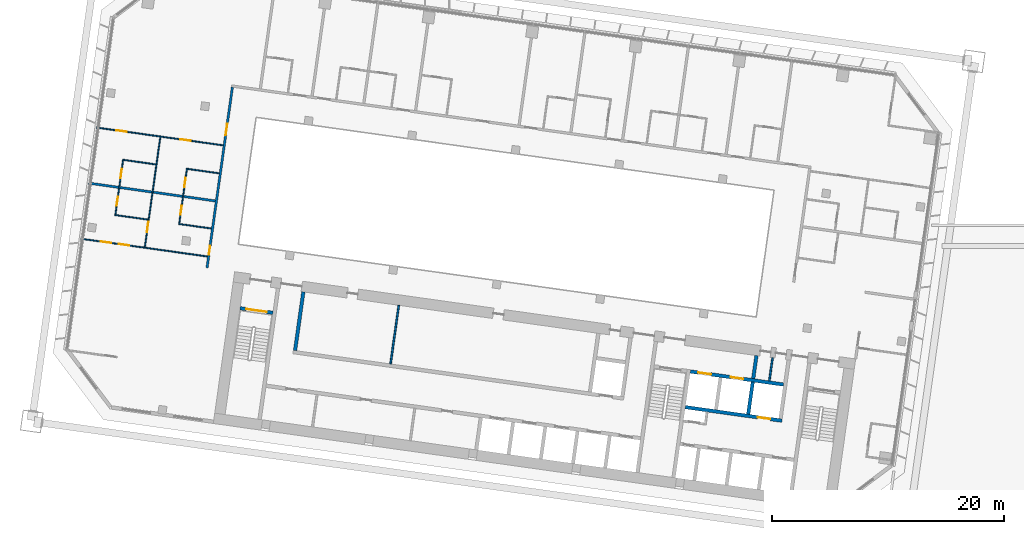
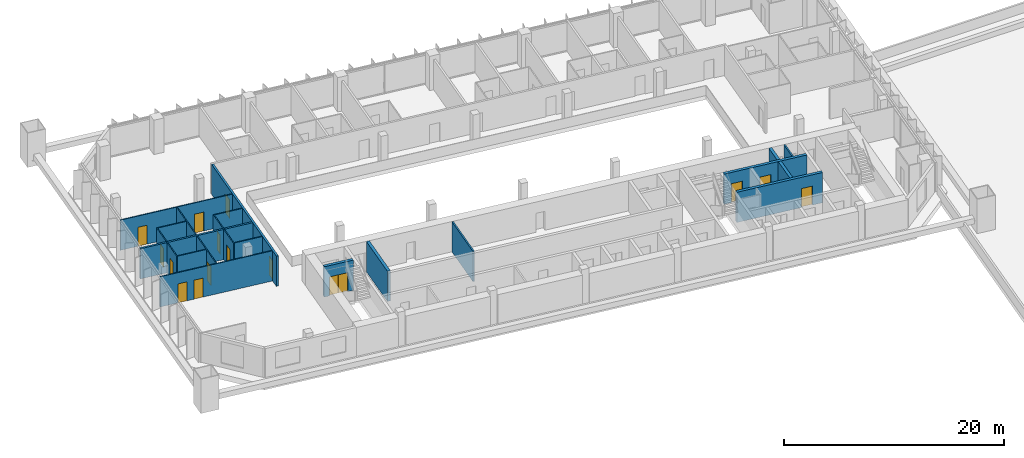
# One storey, part 26 of 46: 19 walls, 15 doors, 15 openings.
"""IFC4 building model written with IfcOpenShell, lengths in metres."""

from ifc_helpers import new_model, si_unit, direction, frame, frame_2d, origin, place, context, subcontext, project, spatial, rectangle, extrude, material, layer, layer_set, type_object, element, fill, save


model = new_model("IFC4")

# Units and contexts
model_context = context("Model", 3, precision=1e-05, world=origin(), true_north=direction((0.0, 1.0)))
body_context = subcontext(model_context, "Body", "Model", "MODEL_VIEW")
ifc_project = project(units=[si_unit("LENGTHUNIT", "METRE"), si_unit("AREAUNIT", "SQUARE_METRE"), si_unit("VOLUMEUNIT", "CUBIC_METRE"), si_unit("PLANEANGLEUNIT", "RADIAN"), si_unit("MASSUNIT", "GRAM", prefix="KILO")], contexts=[model_context])

# Site, building, storey
site_placement = place(None, origin())
site = spatial("IfcSite", under=ifc_project, at=site_placement, CompositionType="ELEMENT")
building_placement = place(site_placement, origin())
building = spatial("IfcBuilding", under=site, at=building_placement, Name="Mirante Cascada Hotel Towers", CompositionType="ELEMENT")
storey_placement = place(building_placement, frame((0.0, 0.0, 39.5)))
storey = spatial("IfcBuildingStorey", under=building, at=storey_placement, Name="L06", CompositionType="ELEMENT", Elevation=39.5)

# Wall
ifc_material_1 = material(Name="Fire-rated plasterboard on metal studs")
ifc_layer_1 = layer(ifc_material_1, 0.2)
ifc_layer_set_1 = layer_set([ifc_layer_1], Name="Compartment wall 200 EI 120")
wall_type_1 = type_object("IfcWallType", Name="Compartment wall 200 EI 120", PredefinedType="PARTITIONING", material=ifc_layer_set_1)
wall_1_placement = place(storey_placement, frame((-90.4064, 6.4896, 0.0), z_axis=(0.0, 0.0, 1.0), x_axis=(-0.990268, 0.1391733, 0.0)))
element("IfcWall", 1, at=wall_1_placement, inside=storey, type_object=wall_type_1, Name="Wall 1-L06-09", PredefinedType="PARTITIONING", context=body_context, shape_type="SweptSolid", body=[
    extrude(rectangle(XDim=11.0, YDim=0.2, at=frame_2d((5.5, 0.0))), origin(), (0.0, 0.0, 1.0), 3.35),
])

# Wall, openings, doors
wall_2_placement = place(storey_placement, frame((-88.9295, 16.2793, 0.0), z_axis=(0.0, 0.0, 1.0), x_axis=(-0.1391721, -0.9902682, 0.0)))
wall_2 = element("IfcWall", 2, at=wall_2_placement, inside=storey, type_object=wall_type_1, Name="Wall 1-L06-54", PredefinedType="PARTITIONING", context=body_context, shape_type="SweptSolid", body=[
    extrude(rectangle(XDim=15.7, YDim=0.2, at=frame_2d((7.85, 0.0))), origin(), (0.0, 0.0, 1.0), 3.35),
])
opening_1_placement = place(wall_2_placement, frame((13.7833, 0.0, 0.0)))
opening_1 = element("IfcOpeningElement", 3, at=opening_1_placement, cuts=wall_2, Name="Opening D1-L06-35", PredefinedType="OPENING", context=body_context, shape_type="SweptSolid", body=[
    extrude(rectangle(XDim=0.8, YDim=2.1, at=frame_2d((0.4, 1.05))), frame((0.0, 0.1, 0.0), z_axis=(0.0, -1.0, 0.0), x_axis=(1.0, 0.0, 0.0)), (0.0, 0.0, 1.0), 0.2),
])
opening_2_placement = place(wall_2_placement, frame((3.1834, 0.0, 0.0)))
opening_2 = element("IfcOpeningElement", 4, at=opening_2_placement, cuts=wall_2, Name="Opening D1-L06-36", PredefinedType="OPENING", context=body_context, shape_type="SweptSolid", body=[
    extrude(rectangle(XDim=1.0, YDim=2.1, at=frame_2d((0.5, 1.05))), frame((0.0, 0.1, 0.0), z_axis=(0.0, -1.0, 0.0), x_axis=(1.0, 0.0, 0.0)), (0.0, 0.0, 1.0), 0.2),
])
ifc_material_2 = material(Name="Fire-rated timber door leaf", Category="wood")
door_type_1 = type_object("IfcDoorType", Name="Bathroom door DG4 800x2100 EI 60", OperationType="SINGLE_SWING_LEFT", PredefinedType="DOOR", material=ifc_material_2)
door_1_placement = place(opening_1_placement, origin())
door_1 = element("IfcDoor", 5, at=door_1_placement, inside=storey, type_object=door_type_1, Name="Door D1-L06-35", OperationType="SINGLE_SWING_LEFT", OverallHeight=2.1, OverallWidth=0.8, PredefinedType="DOOR", context=body_context, shape_type="SweptSolid", body=[
    extrude(rectangle(XDim=0.8, YDim=2.1, at=frame_2d((0.4, 1.05))), frame((0.0, 0.025, 0.0), z_axis=(0.0, -1.0, 0.0), x_axis=(1.0, 0.0, 0.0)), (0.0, 0.0, 1.0), 0.05),
])
fill(opening_1, door_1)
ifc_material_3 = material(Name="Fire-rated timber door leaf", Category="wood")
door_type_2 = type_object("IfcDoorType", Name="Entrance door DG1 1000x2100 EI 60", OperationType="SINGLE_SWING_LEFT", PredefinedType="DOOR", material=ifc_material_3)
door_2_placement = place(opening_2_placement, frame((1.0, 0.0, 0.0), z_axis=(0.0, 0.0, 1.0), x_axis=(-1.0, 0.0, 0.0)))
door_2 = element("IfcDoor", 6, at=door_2_placement, inside=storey, type_object=door_type_2, Name="Door D1-L06-36", OperationType="SINGLE_SWING_RIGHT", OverallHeight=2.1, OverallWidth=1.0, PredefinedType="DOOR", context=body_context, shape_type="SweptSolid", body=[
    extrude(rectangle(XDim=1.0, YDim=2.1, at=frame_2d((0.5, 1.05))), frame((0.0, 0.025, 0.0), z_axis=(0.0, -1.0, 0.0), x_axis=(1.0, 0.0, 0.0)), (0.0, 0.0, 1.0), 0.05),
])
fill(opening_2, door_2)

# Walls
ifc_material_4 = material(Name="Masonry block", Category="masonry")
ifc_layer_2 = layer(ifc_material_4, 0.15)
ifc_layer_set_2 = layer_set([ifc_layer_2], Name="Core room partition 150 block EI 30")
wall_type_2 = type_object("IfcWallType", Name="Core room partition 150 block EI 30", PredefinedType="PARTITIONING", material=ifc_layer_set_2)
wall_3_placement = place(storey_placement, frame((-42.6979, -9.0009, 0.0), z_axis=(0.0, 0.0, 1.0), x_axis=(0.1391529, 0.9902709, 0.0)))
element("IfcWall", 7, at=wall_3_placement, inside=storey, type_object=wall_type_2, Name="Core wall partition T1 L06 4", PredefinedType="PARTITIONING", context=body_context, shape_type="SweptSolid", body=[
    extrude(rectangle(XDim=2.0, YDim=0.15, at=frame_2d((1.0, 0.0))), origin(), (0.0, 0.0, 1.0), 3.35),
])
wall_4_placement = place(storey_placement, frame((-75.3131, -7.5476, 0.0), z_axis=(0.0, 0.0, 1.0), x_axis=(0.1391782, 0.9902673, 0.0)))
element("IfcWall", 8, at=wall_4_placement, inside=storey, type_object=wall_type_2, Name="Core wall partition T1 L06 7", PredefinedType="PARTITIONING", context=body_context, shape_type="SweptSolid", body=[
    extrude(rectangle(XDim=5.0999, YDim=0.15, at=frame_2d((2.55, 0.0))), origin(), (0.0, 0.0, 1.0), 3.35),
])
ifc_material_5 = material(Name="Masonry block", Category="masonry")
ifc_layer_3 = layer(ifc_material_5, 0.3)
ifc_layer_set_3 = layer_set([ifc_layer_3], Name="Core wall 300 block EI 120")
wall_type_3 = type_object("IfcWallType", Name="Core wall 300 block EI 120", PredefinedType="PARTITIONING", material=ifc_layer_set_3)
wall_5_placement = place(storey_placement, frame((-44.0843, -8.8061, 0.0), z_axis=(0.0, 0.0, 1.0), x_axis=(0.1391951, 0.990265, 0.0)))
element("IfcWall", 9, at=wall_5_placement, inside=storey, type_object=wall_type_3, Name="Core wall partition T1 L06 1", PredefinedType="PARTITIONING", context=body_context, shape_type="SweptSolid", body=[
    extrude(rectangle(XDim=2.0001, YDim=0.3, at=frame_2d((1.0001, 0.0))), origin(), (0.0, 0.0, 1.0), 3.35),
])

# Wall, openings, doors
ifc_material_6 = material(Name="Plasterboard on metal studs")
ifc_layer_4 = layer(ifc_material_6, 0.1)
ifc_layer_set_4 = layer_set([ifc_layer_4], Name="Partition 100")
wall_type_4 = type_object("IfcWallType", Name="Partition 100", PredefinedType="PARTITIONING", material=ifc_layer_set_4)
wall_6_placement = place(storey_placement, frame((-91.079, 1.7033, 0.0), z_axis=(0.0, 0.0, 1.0), x_axis=(-0.9902682, 0.1391721, 0.0)))
wall_6 = element("IfcWall", 10, at=wall_6_placement, inside=storey, type_object=wall_type_4, Name="Wall 1-L06-05", PredefinedType="PARTITIONING", context=body_context, shape_type="SweptSolid", body=[
    extrude(rectangle(XDim=11.0001, YDim=0.1, at=frame_2d((5.5, 0.0))), origin(), (0.0, 0.0, 1.0), 3.35),
])
opening_3_placement = place(wall_6_placement, frame((6.8, 0.0, 0.0)))
opening_3 = element("IfcOpeningElement", 11, at=opening_3_placement, cuts=wall_6, Name="Opening D1-L06-03", PredefinedType="OPENING", context=body_context, shape_type="SweptSolid", body=[
    extrude(rectangle(XDim=0.9, YDim=2.1, at=frame_2d((0.45, 1.05))), frame((0.0, 0.05, 0.0), z_axis=(0.0, -1.0, 0.0), x_axis=(1.0, 0.0, 0.0)), (0.0, 0.0, 1.0), 0.1),
])
opening_4_placement = place(wall_6_placement, frame((8.375, 0.0, 0.0)))
opening_4 = element("IfcOpeningElement", 12, at=opening_4_placement, cuts=wall_6, Name="Opening D1-L06-04", PredefinedType="OPENING", context=body_context, shape_type="SweptSolid", body=[
    extrude(rectangle(XDim=0.9, YDim=2.1, at=frame_2d((0.45, 1.05))), frame((0.0, 0.05, 0.0), z_axis=(0.0, -1.0, 0.0), x_axis=(1.0, 0.0, 0.0)), (0.0, 0.0, 1.0), 0.1),
])
ifc_material_7 = material(Name="Timber door leaf", Category="wood")
door_type_3 = type_object("IfcDoorType", Name="Room door DG3 900x2100", OperationType="SINGLE_SWING_LEFT", PredefinedType="DOOR", material=ifc_material_7)
door_3_placement = place(opening_3_placement, origin())
door_3 = element("IfcDoor", 13, at=door_3_placement, inside=storey, type_object=door_type_3, Name="Door D1-L06-03", OperationType="SINGLE_SWING_LEFT", OverallHeight=2.1, OverallWidth=0.9, PredefinedType="DOOR", context=body_context, shape_type="SweptSolid", body=[
    extrude(rectangle(XDim=0.9, YDim=2.1, at=frame_2d((0.45, 1.05))), frame((0.0, 0.025, 0.0), z_axis=(0.0, -1.0, 0.0), x_axis=(1.0, 0.0, 0.0)), (0.0, 0.0, 1.0), 0.05),
])
fill(opening_3, door_3)
door_4_placement = place(opening_4_placement, origin())
door_4 = element("IfcDoor", 14, at=door_4_placement, inside=storey, type_object=door_type_3, Name="Door D1-L06-04", OperationType="SINGLE_SWING_LEFT", OverallHeight=2.1, OverallWidth=0.9, PredefinedType="DOOR", context=body_context, shape_type="SweptSolid", body=[
    extrude(rectangle(XDim=0.9, YDim=2.1, at=frame_2d((0.45, 1.05))), frame((0.0, 0.025, 0.0), z_axis=(0.0, -1.0, 0.0), x_axis=(1.0, 0.0, 0.0)), (0.0, 0.0, 1.0), 0.05),
])
fill(opening_4, door_4)

# Walls
wall_7_placement = place(storey_placement, frame((-93.4636, 4.4956, 0.0), z_axis=(0.0, 0.0, 1.0), x_axis=(0.9902691, -0.1391657, 0.0)))
element("IfcWall", 15, at=wall_7_placement, inside=storey, type_object=wall_type_4, Name="Wall 1-L06-06", PredefinedType="PARTITIONING", context=body_context, shape_type="SweptSolid", body=[
    extrude(rectangle(XDim=2.75, YDim=0.1, at=frame_2d((1.375, 0.0))), origin(), (0.0, 0.0, 1.0), 3.35),
])
wall_8_placement = place(storey_placement, frame((-96.1868, 4.8784, 0.0), z_axis=(0.0, 0.0, 1.0), x_axis=(-0.9902677, 0.139176, 0.0)))
element("IfcWall", 16, at=wall_8_placement, inside=storey, type_object=wall_type_4, Name="Wall 1-L06-07", PredefinedType="PARTITIONING", context=body_context, shape_type="SweptSolid", body=[
    extrude(rectangle(XDim=2.8001, YDim=0.1, at=frame_2d((1.4, 0.0))), origin(), (0.0, 0.0, 1.0), 3.35),
])
wall_9_placement = place(storey_placement, frame((-90.0723, 8.8662, 0.0), z_axis=(0.0, 0.0, 1.0), x_axis=(-0.9902698, 0.1391607, 0.0)))
element("IfcWall", 17, at=wall_9_placement, inside=storey, type_object=wall_type_4, Name="Wall 1-L06-11", PredefinedType="PARTITIONING", context=body_context, shape_type="SweptSolid", body=[
    extrude(rectangle(XDim=2.7501, YDim=0.1, at=frame_2d((1.3751, 0.0))), origin(), (0.0, 0.0, 1.0), 3.35),
])
wall_10_placement = place(storey_placement, frame((-98.2916, 10.0213, 0.0), z_axis=(0.0, 0.0, 1.0), x_axis=(0.9902726, -0.139141, 0.0)))
element("IfcWall", 18, at=wall_10_placement, inside=storey, type_object=wall_type_4, Name="Wall 1-L06-12", PredefinedType="PARTITIONING", context=body_context, shape_type="SweptSolid", body=[
    extrude(rectangle(XDim=2.8, YDim=0.1, at=frame_2d((1.4, 0.0))), origin(), (0.0, 0.0, 1.0), 3.35),
])

# Wall, openings, doors
wall_11_placement = place(storey_placement, frame((-100.6266, 12.8067, 0.0), z_axis=(0.0, 0.0, 1.0), x_axis=(0.990268, -0.1391733, 0.0)))
wall_11 = element("IfcWall", 19, at=wall_11_placement, inside=storey, type_object=wall_type_4, Name="Wall 1-L06-14", PredefinedType="PARTITIONING", context=body_context, shape_type="SweptSolid", body=[
    extrude(rectangle(XDim=11.0, YDim=0.1, at=frame_2d((5.5, 0.0))), origin(), (0.0, 0.0, 1.0), 3.35),
])
opening_5_placement = place(wall_11_placement, frame((7.275, 0.0, 0.0)))
opening_5 = element("IfcOpeningElement", 20, at=opening_5_placement, cuts=wall_11, Name="Opening D1-L06-05", PredefinedType="OPENING", context=body_context, shape_type="SweptSolid", body=[
    extrude(rectangle(XDim=0.9, YDim=2.1, at=frame_2d((0.45, 1.05))), frame((0.0, 0.05, 0.0), z_axis=(0.0, -1.0, 0.0), x_axis=(1.0, 0.0, 0.0)), (0.0, 0.0, 1.0), 0.1),
])
opening_6_placement = place(wall_11_placement, frame((1.725, 0.0, 0.0)))
opening_6 = element("IfcOpeningElement", 21, at=opening_6_placement, cuts=wall_11, Name="Opening D1-L06-06", PredefinedType="OPENING", context=body_context, shape_type="SweptSolid", body=[
    extrude(rectangle(XDim=0.9, YDim=2.1, at=frame_2d((0.45, 1.05))), frame((0.0, 0.05, 0.0), z_axis=(0.0, -1.0, 0.0), x_axis=(1.0, 0.0, 0.0)), (0.0, 0.0, 1.0), 0.1),
])
door_5_placement = place(opening_5_placement, origin())
door_5 = element("IfcDoor", 22, at=door_5_placement, inside=storey, type_object=door_type_3, Name="Door D1-L06-05", OperationType="SINGLE_SWING_LEFT", OverallHeight=2.1, OverallWidth=0.9, PredefinedType="DOOR", context=body_context, shape_type="SweptSolid", body=[
    extrude(rectangle(XDim=0.9, YDim=2.1, at=frame_2d((0.45, 1.05))), frame((0.0, 0.025, 0.0), z_axis=(0.0, -1.0, 0.0), x_axis=(1.0, 0.0, 0.0)), (0.0, 0.0, 1.0), 0.05),
])
fill(opening_5, door_5)
door_6_placement = place(opening_6_placement, origin())
door_6 = element("IfcDoor", 23, at=door_6_placement, inside=storey, type_object=door_type_3, Name="Door D1-L06-06", OperationType="SINGLE_SWING_LEFT", OverallHeight=2.1, OverallWidth=0.9, PredefinedType="DOOR", context=body_context, shape_type="SweptSolid", body=[
    extrude(rectangle(XDim=0.9, YDim=2.1, at=frame_2d((0.45, 1.05))), frame((0.0, 0.025, 0.0), z_axis=(0.0, -1.0, 0.0), x_axis=(1.0, 0.0, 0.0)), (0.0, 0.0, 1.0), 0.05),
])
fill(opening_6, door_6)

wall_12_placement = place(storey_placement, frame((-93.5201, 4.4531, 0.0), z_axis=(0.0, 0.0, 1.0), x_axis=(0.1391838, 0.9902666, 0.0)))
wall_12 = element("IfcWall", 24, at=wall_12_placement, inside=storey, type_object=wall_type_4, Name="Wall 1-L06-55", PredefinedType="PARTITIONING", context=body_context, shape_type="SweptSolid", body=[
    extrude(rectangle(XDim=4.9, YDim=0.1, at=frame_2d((2.45, 0.0))), origin(), (0.0, 0.0, 1.0), 3.35),
])
opening_7_placement = place(wall_12_placement, frame((0.85, 0.0, 0.0)))
opening_7 = element("IfcOpeningElement", 25, at=opening_7_placement, cuts=wall_12, Name="Opening D1-L06-37", PredefinedType="OPENING", context=body_context, shape_type="SweptSolid", body=[
    extrude(rectangle(XDim=0.8, YDim=2.1, at=frame_2d((0.4, 1.05))), frame((0.0, 0.05, 0.0), z_axis=(0.0, -1.0, 0.0), x_axis=(1.0, 0.0, 0.0)), (0.0, 0.0, 1.0), 0.1),
])
opening_8_placement = place(wall_12_placement, frame((3.25, 0.0, 0.0)))
opening_8 = element("IfcOpeningElement", 26, at=opening_8_placement, cuts=wall_12, Name="Opening D1-L06-38", PredefinedType="OPENING", context=body_context, shape_type="SweptSolid", body=[
    extrude(rectangle(XDim=0.8, YDim=2.1, at=frame_2d((0.4, 1.05))), frame((0.0, 0.05, 0.0), z_axis=(0.0, -1.0, 0.0), x_axis=(1.0, 0.0, 0.0)), (0.0, 0.0, 1.0), 0.1),
])
ifc_material_8 = material(Name="Timber door leaf", Category="wood")
door_type_4 = type_object("IfcDoorType", Name="Bathroom door DG4 800x2100", OperationType="SINGLE_SWING_LEFT", PredefinedType="DOOR", material=ifc_material_8)
door_7_placement = place(opening_7_placement, frame((0.8, 0.0, 0.0), z_axis=(0.0, 0.0, 1.0), x_axis=(-1.0, 0.0, 0.0)))
door_7 = element("IfcDoor", 27, at=door_7_placement, inside=storey, type_object=door_type_4, Name="Door D1-L06-37", OperationType="SINGLE_SWING_RIGHT", OverallHeight=2.1, OverallWidth=0.8, PredefinedType="DOOR", context=body_context, shape_type="SweptSolid", body=[
    extrude(rectangle(XDim=0.8, YDim=2.1, at=frame_2d((0.4, 1.05))), frame((0.0, 0.025, 0.0), z_axis=(0.0, -1.0, 0.0), x_axis=(1.0, 0.0, 0.0)), (0.0, 0.0, 1.0), 0.05),
])
fill(opening_7, door_7)
door_8_placement = place(opening_8_placement, frame((0.8, 0.0, 0.0), z_axis=(0.0, 0.0, 1.0), x_axis=(-1.0, 0.0, 0.0)))
door_8 = element("IfcDoor", 28, at=door_8_placement, inside=storey, type_object=door_type_4, Name="Door D1-L06-38", OperationType="SINGLE_SWING_RIGHT", OverallHeight=2.1, OverallWidth=0.8, PredefinedType="DOOR", context=body_context, shape_type="SweptSolid", body=[
    extrude(rectangle(XDim=0.8, YDim=2.1, at=frame_2d((0.4, 1.05))), frame((0.0, 0.025, 0.0), z_axis=(0.0, -1.0, 0.0), x_axis=(1.0, 0.0, 0.0)), (0.0, 0.0, 1.0), 0.05),
])
fill(opening_8, door_8)

# Wall, opening, door
wall_13_placement = place(storey_placement, frame((-95.1376, 11.9848, 0.0), z_axis=(0.0, 0.0, 1.0), x_axis=(-0.1391717, -0.9902683, 0.0)))
wall_13 = element("IfcWall", 29, at=wall_13_placement, inside=storey, type_object=wall_type_4, Name="Wall 1-L06-56", PredefinedType="PARTITIONING", context=body_context, shape_type="SweptSolid", body=[
    extrude(rectangle(XDim=9.5666, YDim=0.1, at=frame_2d((4.7833, 0.0))), origin(), (0.0, 0.0, 1.0), 3.35),
])
opening_9_placement = place(wall_13_placement, frame((7.3666, 0.0, 0.0)))
opening_9 = element("IfcOpeningElement", 30, at=opening_9_placement, cuts=wall_13, Name="Opening D1-L06-39", PredefinedType="OPENING", context=body_context, shape_type="SweptSolid", body=[
    extrude(rectangle(XDim=0.9, YDim=2.1, at=frame_2d((0.45, 1.05))), frame((0.0, 0.05, 0.0), z_axis=(0.0, -1.0, 0.0), x_axis=(1.0, 0.0, 0.0)), (0.0, 0.0, 1.0), 0.1),
])
door_9_placement = place(opening_9_placement, origin())
door_9 = element("IfcDoor", 31, at=door_9_placement, inside=storey, type_object=door_type_3, Name="Door D1-L06-39", OperationType="SINGLE_SWING_LEFT", OverallHeight=2.1, OverallWidth=0.9, PredefinedType="DOOR", context=body_context, shape_type="SweptSolid", body=[
    extrude(rectangle(XDim=0.9, YDim=2.1, at=frame_2d((0.45, 1.05))), frame((0.0, 0.025, 0.0), z_axis=(0.0, -1.0, 0.0), x_axis=(1.0, 0.0, 0.0)), (0.0, 0.0, 1.0), 0.05),
])
fill(opening_9, door_9)

# Wall, openings, doors
wall_14_placement = place(storey_placement, frame((-99.0161, 5.2255, 0.0), z_axis=(0.0, 0.0, 1.0), x_axis=(0.1391838, 0.9902666, 0.0)))
wall_14 = element("IfcWall", 32, at=wall_14_placement, inside=storey, type_object=wall_type_4, Name="Wall 1-L06-57", PredefinedType="PARTITIONING", context=body_context, shape_type="SweptSolid", body=[
    extrude(rectangle(XDim=4.9, YDim=0.1, at=frame_2d((2.45, 0.0))), origin(), (0.0, 0.0, 1.0), 3.35),
])
opening_10_placement = place(wall_14_placement, frame((0.85, 0.0, 0.0)))
opening_10 = element("IfcOpeningElement", 33, at=opening_10_placement, cuts=wall_14, Name="Opening D1-L06-40", PredefinedType="OPENING", context=body_context, shape_type="SweptSolid", body=[
    extrude(rectangle(XDim=0.8, YDim=2.1, at=frame_2d((0.4, 1.05))), frame((0.0, 0.05, 0.0), z_axis=(0.0, -1.0, 0.0), x_axis=(1.0, 0.0, 0.0)), (0.0, 0.0, 1.0), 0.1),
])
opening_11_placement = place(wall_14_placement, frame((3.25, 0.0, 0.0)))
opening_11 = element("IfcOpeningElement", 34, at=opening_11_placement, cuts=wall_14, Name="Opening D1-L06-41", PredefinedType="OPENING", context=body_context, shape_type="SweptSolid", body=[
    extrude(rectangle(XDim=0.8, YDim=2.1, at=frame_2d((0.4, 1.05))), frame((0.0, 0.05, 0.0), z_axis=(0.0, -1.0, 0.0), x_axis=(1.0, 0.0, 0.0)), (0.0, 0.0, 1.0), 0.1),
])
door_10_placement = place(opening_10_placement, frame((0.8, 0.0, 0.0), z_axis=(0.0, 0.0, 1.0), x_axis=(-1.0, 0.0, 0.0)))
door_10 = element("IfcDoor", 35, at=door_10_placement, inside=storey, type_object=door_type_4, Name="Door D1-L06-40", OperationType="SINGLE_SWING_RIGHT", OverallHeight=2.1, OverallWidth=0.8, PredefinedType="DOOR", context=body_context, shape_type="SweptSolid", body=[
    extrude(rectangle(XDim=0.8, YDim=2.1, at=frame_2d((0.4, 1.05))), frame((0.0, 0.025, 0.0), z_axis=(0.0, -1.0, 0.0), x_axis=(1.0, 0.0, 0.0)), (0.0, 0.0, 1.0), 0.05),
])
fill(opening_10, door_10)
door_11_placement = place(opening_11_placement, frame((0.8, 0.0, 0.0), z_axis=(0.0, 0.0, 1.0), x_axis=(-1.0, 0.0, 0.0)))
door_11 = element("IfcDoor", 36, at=door_11_placement, inside=storey, type_object=door_type_4, Name="Door D1-L06-41", OperationType="SINGLE_SWING_RIGHT", OverallHeight=2.1, OverallWidth=0.8, PredefinedType="DOOR", context=body_context, shape_type="SweptSolid", body=[
    extrude(rectangle(XDim=0.8, YDim=2.1, at=frame_2d((0.4, 1.05))), frame((0.0, 0.025, 0.0), z_axis=(0.0, -1.0, 0.0), x_axis=(1.0, 0.0, 0.0)), (0.0, 0.0, 1.0), 0.05),
])
fill(opening_11, door_11)

# Wall, opening, door
ifc_material_9 = material(Name="Concrete C50/60", Category="concrete")
ifc_layer_5 = layer(ifc_material_9, 0.3)
ifc_layer_set_5 = layer_set([ifc_layer_5], Name="RC core wall 300 C50/60")
wall_type_5 = type_object("IfcWallType", Name="RC core wall 300 C50/60", PredefinedType="SHEAR", material=ifc_layer_set_5)
wall_15_placement = place(storey_placement, frame((-85.4489, -3.1441, 0.0), z_axis=(0.0, 0.0, 1.0), x_axis=(-0.9902697, 0.1391613, 0.0)))
wall_15 = element("IfcWall", 37, at=wall_15_placement, inside=storey, type_object=wall_type_5, Name="Core wall T1:L06:11", PredefinedType="SHEAR", context=body_context, shape_type="SweptSolid", body=[
    extrude(rectangle(XDim=2.8499, YDim=0.3, at=frame_2d((1.425, 0.0))), origin(), (0.0, 0.0, 1.0), 3.35),
])
opening_12_placement = place(wall_15_placement, frame((0.525, 0.0, 0.0)))
opening_12 = element("IfcOpeningElement", 38, at=opening_12_placement, cuts=wall_15, Name="Opening D1-06-C17", PredefinedType="OPENING", context=body_context, shape_type="SweptSolid", body=[
    extrude(rectangle(XDim=1.8, YDim=2.1, at=frame_2d((0.9, 1.05))), frame((0.0, 0.15, 0.0), z_axis=(0.0, -1.0, 0.0), x_axis=(1.0, 0.0, 0.0)), (0.0, 0.0, 1.0), 0.3),
])
ifc_material_10 = material(Name="Hollow metal fire door leaf")
door_type_5 = type_object("IfcDoorType", Name="Double fire door 1800x2100 FD60", OperationType="DOUBLE_DOOR_SINGLE_SWING", PredefinedType="DOOR", material=ifc_material_10)
door_12_placement = place(opening_12_placement, origin())
door_12 = element("IfcDoor", 39, at=door_12_placement, inside=storey, type_object=door_type_5, Name="Stair door T1 L06 17", OperationType="DOUBLE_DOOR_SINGLE_SWING", OverallHeight=2.1, OverallWidth=1.8, PredefinedType="DOOR", context=body_context, shape_type="SweptSolid", body=[
    extrude(rectangle(XDim=0.895, YDim=2.1, at=frame_2d((0.4475, 1.05))), frame((0.0, 0.025, 0.0), z_axis=(0.0, -1.0, 0.0), x_axis=(1.0, 0.0, 0.0)), (0.0, 0.0, 1.0), 0.05),
    extrude(rectangle(XDim=0.895, YDim=2.1, at=frame_2d((1.3525, 1.05))), frame((0.0, 0.025, 0.0), z_axis=(0.0, -1.0, 0.0), x_axis=(1.0, 0.0, 0.0)), (0.0, 0.0, 1.0), 0.05),
])
fill(opening_12, door_12)

wall_16_placement = place(storey_placement, frame((-41.6153, -12.435, 0.0), z_axis=(0.0, 0.0, 1.0), x_axis=(-0.9902691, 0.139166, 0.0)))
wall_16 = element("IfcWall", 40, at=wall_16_placement, inside=storey, type_object=wall_type_5, Name="Core wall T1:L06:13", PredefinedType="SHEAR", context=body_context, shape_type="SweptSolid", body=[
    extrude(rectangle(XDim=8.4, YDim=0.3, at=frame_2d((4.2, 0.0))), origin(), (0.0, 0.0, 1.0), 3.35),
])
opening_13_placement = place(wall_16_placement, frame((1.0, 0.0, 0.0)))
opening_13 = element("IfcOpeningElement", 41, at=opening_13_placement, cuts=wall_16, Name="Opening LD", PredefinedType="OPENING", context=body_context, shape_type="SweptSolid", body=[
    extrude(rectangle(XDim=1.1, YDim=2.1, at=frame_2d((0.55, 1.05))), frame((0.0, 0.15, 0.0), z_axis=(0.0, -1.0, 0.0), x_axis=(1.0, 0.0, 0.0)), (0.0, 0.0, 1.0), 0.3),
])
ifc_material_11 = material(Name="Stainless steel", Category="steel")
door_type_6 = type_object("IfcDoorType", Name="Lift landing door 1100x2100 EI 120", OperationType="DOUBLE_DOOR_SLIDING", PredefinedType="DOOR", material=ifc_material_11)
door_13_placement = place(opening_13_placement, origin())
door_13 = element("IfcDoor", 42, at=door_13_placement, inside=storey, type_object=door_type_6, Name="Lift landing door HR1-4 L06", OperationType="DOUBLE_DOOR_SLIDING", OverallHeight=2.1, OverallWidth=1.1, PredefinedType="DOOR", context=body_context, shape_type="SweptSolid", body=[
    extrude(rectangle(XDim=0.545, YDim=2.1, at=frame_2d((0.2725, 1.05))), frame((0.0, 0.025, 0.0), z_axis=(0.0, -1.0, 0.0), x_axis=(1.0, 0.0, 0.0)), (0.0, 0.0, 1.0), 0.05),
    extrude(rectangle(XDim=0.545, YDim=2.1, at=frame_2d((0.8275, 1.05))), frame((0.0, 0.025, 0.0), z_axis=(0.0, -1.0, 0.0), x_axis=(1.0, 0.0, 0.0)), (0.0, 0.0, 1.0), 0.05),
])
fill(opening_13, door_13)

# Wall, openings, doors
wall_17_placement = place(storey_placement, frame((-41.481, -9.3234, 0.0), z_axis=(0.0, 0.0, 1.0), x_axis=(-0.9902679, 0.1391741, 0.0)))
wall_17 = element("IfcWall", 43, at=wall_17_placement, inside=storey, type_object=wall_type_5, Name="Core wall T1:L06:14", PredefinedType="SHEAR", context=body_context, shape_type="SweptSolid", body=[
    extrude(rectangle(XDim=8.0999, YDim=0.3, at=frame_2d((4.05, 0.0))), origin(), (0.0, 0.0, 1.0), 3.35),
])
opening_14_placement = place(wall_17_placement, frame((3.5, 0.0, 0.0)))
opening_14 = element("IfcOpeningElement", 44, at=opening_14_placement, cuts=wall_17, Name="Opening LD", PredefinedType="OPENING", context=body_context, shape_type="SweptSolid", body=[
    extrude(rectangle(XDim=1.1, YDim=2.1, at=frame_2d((0.55, 1.05))), frame((0.0, 0.15, 0.0), z_axis=(0.0, -1.0, 0.0), x_axis=(1.0, 0.0, 0.0)), (0.0, 0.0, 1.0), 0.3),
])
opening_15_placement = place(wall_17_placement, frame((6.3, 0.0, 0.0)))
opening_15 = element("IfcOpeningElement", 45, at=opening_15_placement, cuts=wall_17, Name="Opening LD", PredefinedType="OPENING", context=body_context, shape_type="SweptSolid", body=[
    extrude(rectangle(XDim=1.1, YDim=2.1, at=frame_2d((0.55, 1.05))), frame((0.0, 0.15, 0.0), z_axis=(0.0, -1.0, 0.0), x_axis=(1.0, 0.0, 0.0)), (0.0, 0.0, 1.0), 0.3),
])
door_14_placement = place(opening_14_placement, origin())
door_14 = element("IfcDoor", 46, at=door_14_placement, inside=storey, type_object=door_type_6, Name="Lift landing door FF1 L06", OperationType="DOUBLE_DOOR_SLIDING", OverallHeight=2.1, OverallWidth=1.1, PredefinedType="DOOR", context=body_context, shape_type="SweptSolid", body=[
    extrude(rectangle(XDim=0.545, YDim=2.1, at=frame_2d((0.2725, 1.05))), frame((0.0, 0.025, 0.0), z_axis=(0.0, -1.0, 0.0), x_axis=(1.0, 0.0, 0.0)), (0.0, 0.0, 1.0), 0.05),
    extrude(rectangle(XDim=0.545, YDim=2.1, at=frame_2d((0.8275, 1.05))), frame((0.0, 0.025, 0.0), z_axis=(0.0, -1.0, 0.0), x_axis=(1.0, 0.0, 0.0)), (0.0, 0.0, 1.0), 0.05),
])
fill(opening_14, door_14)
door_15_placement = place(opening_15_placement, origin())
door_15 = element("IfcDoor", 47, at=door_15_placement, inside=storey, type_object=door_type_6, Name="Lift landing door FF2 L06", OperationType="DOUBLE_DOOR_SLIDING", OverallHeight=2.1, OverallWidth=1.1, PredefinedType="DOOR", context=body_context, shape_type="SweptSolid", body=[
    extrude(rectangle(XDim=0.545, YDim=2.1, at=frame_2d((0.2725, 1.05))), frame((0.0, 0.025, 0.0), z_axis=(0.0, -1.0, 0.0), x_axis=(1.0, 0.0, 0.0)), (0.0, 0.0, 1.0), 0.05),
    extrude(rectangle(XDim=0.545, YDim=2.1, at=frame_2d((0.8275, 1.05))), frame((0.0, 0.025, 0.0), z_axis=(0.0, -1.0, 0.0), x_axis=(1.0, 0.0, 0.0)), (0.0, 0.0, 1.0), 0.05),
])
fill(opening_15, door_15)

# Walls
wall_18_placement = place(storey_placement, frame((-44.5157, -11.8759, 0.0), z_axis=(0.0, 0.0, 1.0), x_axis=(0.139181, 0.990267, 0.0)))
element("IfcWall", 48, at=wall_18_placement, inside=storey, type_object=wall_type_5, Name="Core wall T1:L06:18", PredefinedType="SHEAR", context=body_context, shape_type="SweptSolid", body=[
    extrude(rectangle(XDim=2.8, YDim=0.3, at=frame_2d((1.4, 0.0))), origin(), (0.0, 0.0, 1.0), 3.35),
])
wall_19_placement = place(storey_placement, frame((-83.5323, -6.3925, 0.0), z_axis=(0.0, 0.0, 1.0), x_axis=(0.1391755, 0.9902677, 0.0)))
element("IfcWall", 49, at=wall_19_placement, inside=storey, type_object=wall_type_5, Name="Core wall T1:L06:35", PredefinedType="SHEAR", context=body_context, shape_type="SweptSolid", body=[
    extrude(rectangle(XDim=5.1, YDim=0.3, at=frame_2d((2.55, 0.0))), origin(), (0.0, 0.0, 1.0), 3.35),
])

save(model, "model.ifc")
